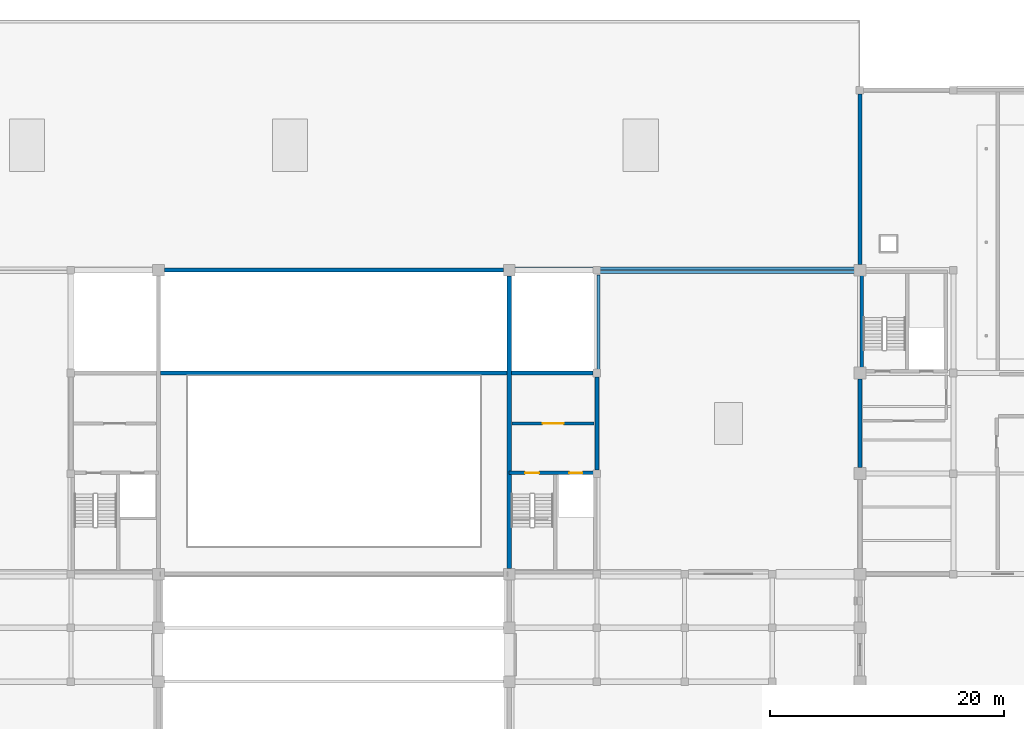
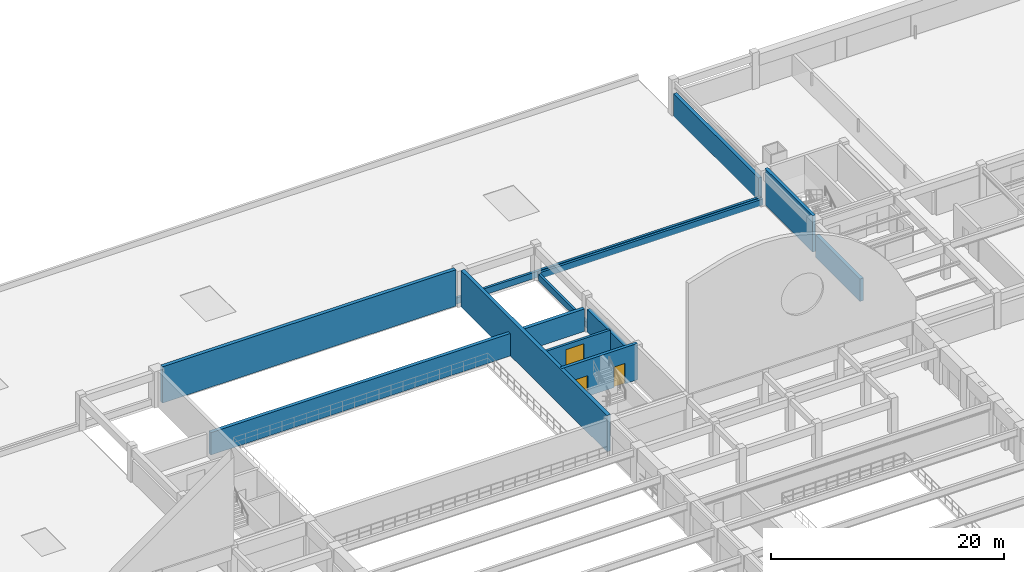
# One storey, part 60 of 74: 13 walls, 3 doors, 3 openings.
"""IFC4 building model written with IfcOpenShell, lengths in metres."""

from ifc_helpers import new_model, si_unit, direction, frame, frame_2d, origin, place, context, subcontext, project, spatial, rectangle, extrude, material, layer, layer_set, type_object, element, fill, save


model = new_model("IFC4")

# Units and contexts
model_context = context("Model", 3, precision=1e-05, world=origin(), true_north=direction((0.0, 1.0)))
body_context = subcontext(model_context, "Body", "Model", "MODEL_VIEW")
ifc_project = project(units=[si_unit("LENGTHUNIT", "METRE"), si_unit("AREAUNIT", "SQUARE_METRE"), si_unit("VOLUMEUNIT", "CUBIC_METRE"), si_unit("PLANEANGLEUNIT", "RADIAN"), si_unit("MASSUNIT", "GRAM", prefix="KILO")], contexts=[model_context])

# Site, building, storey
site_placement = place(None, origin())
site = spatial("IfcSite", under=ifc_project, at=site_placement, CompositionType="ELEMENT")
building_placement = place(site_placement, origin())
building = spatial("IfcBuilding", under=site, at=building_placement, Name="Muzn Square Opera House", CompositionType="ELEMENT")
storey_placement = place(building_placement, frame((0.0, 0.0, 14.199951171875)))
storey = spatial("IfcBuildingStorey", under=building, at=storey_placement, Name="L03", CompositionType="ELEMENT", Elevation=14.199951171875)

# Wall
ifc_material_1 = material(Name="Concrete C45/55", Category="concrete")
ifc_layer_1 = layer(ifc_material_1, 0.300048828125, Name="Concrete C45/55", Category="concrete")
ifc_layer_set_1 = layer_set([ifc_layer_1], Name="Concrete C45/55")
wall_type_1 = type_object("IfcWallType", Name="Core Shear Wall 300mm", PredefinedType="SHEAR", material=ifc_layer_set_1)
wall_1_placement = place(storey_placement, frame((133.14990234375, 90.10009765625, 0.0), z_axis=(0.0, 0.0, 1.0), x_axis=(0.0, 1.0, 0.0)))
element("IfcWall", 1, at=wall_1_placement, inside=storey, type_object=wall_type_1, Name="Core C5 Shear Wall SW-C5-L03-W", PredefinedType="SHEAR", context=body_context, shape_type="SweptSolid", body=[
    extrude(rectangle(XDim=8.199951171875, YDim=0.300048828125, at=frame_2d((4.10009765625, 0.0))), origin(), (0.0, 0.0, 1.0), 3.800048828125),
])

# Wall, openings, doors
wall_2_placement = place(storey_placement, frame((103.0, 81.25, 0.0), z_axis=(0.0, 0.0, 1.0), x_axis=(1.0, 0.0, 0.0)))
wall_2 = element("IfcWall", 2, at=wall_2_placement, inside=storey, type_object=wall_type_1, Name="Core C2 Front Shear Wall L03", PredefinedType="SHEAR", context=body_context, shape_type="SweptSolid", body=[
    extrude(rectangle(XDim=7.5, YDim=0.300048828125, at=frame_2d((3.75, 0.0))), origin(), (0.0, 0.0, 1.0), 3.800048828125),
])
opening_1_placement = place(wall_2_placement, frame((1.35009765625, 0.0, 0.0)))
opening_1 = element("IfcOpeningElement", 3, at=opening_1_placement, cuts=wall_2, Name="Opening DR-ST12", PredefinedType="OPENING", context=body_context, shape_type="SweptSolid", body=[
    extrude(rectangle(XDim=1.199951171875, YDim=2.14990234375, at=frame_2d((0.60009765625, 1.074951171875))), frame((0.0, 0.159912109375, 0.0), z_axis=(0.0, -1.0, 0.0), x_axis=(1.0, 0.0, 0.0)), (0.0, 0.0, 1.0), 0.320068359375),
])
opening_2_placement = place(wall_2_placement, frame((5.14990234375, 0.0, 0.0)))
opening_2 = element("IfcOpeningElement", 4, at=opening_2_placement, cuts=wall_2, Name="Opening LD-01", PredefinedType="OPENING", context=body_context, shape_type="SweptSolid", body=[
    extrude(rectangle(XDim=1.10009765625, YDim=2.14990234375, at=frame_2d((0.550048828125, 1.074951171875))), frame((0.0, 0.159912109375, 0.0), z_axis=(0.0, -1.0, 0.0), x_axis=(1.0, 0.0, 0.0)), (0.0, 0.0, 1.0), 0.320068359375),
])
ifc_material_2 = material(Name="Galvanised painted steel leaf", Category="metal")
door_type_1 = type_object("IfcDoorType", Name="Core Stair Fire Door 1200x2150", OperationType="NOTDEFINED", PredefinedType="DOOR", material=ifc_material_2)
door_1_placement = place(opening_1_placement, origin())
door_1 = element("IfcDoor", 5, at=door_1_placement, inside=storey, type_object=door_type_1, Name="Core C2 Stair Door L03", OperationType="SINGLE_SWING_RIGHT", OverallHeight=2.14990234375, OverallWidth=1.199951171875, PredefinedType="DOOR", context=body_context, shape_type="SweptSolid", body=[
    extrude(rectangle(XDim=1.199951171875, YDim=2.14990234375, at=frame_2d((0.60009765625, 1.074951171875))), frame((0.0, 0.02490234375, 0.0), z_axis=(0.0, -1.0, 0.0), x_axis=(1.0, 0.0, 0.0)), (0.0, 0.0, 1.0), 0.050048828125),
])
fill(opening_1, door_1)
ifc_material_3 = material(Name="Brushed stainless steel", Category="metal")
door_type_2 = type_object("IfcDoorType", Name="Lift Landing Sliding Door 1100x2150", OperationType="SLIDING_TO_LEFT", PredefinedType="DOOR", material=ifc_material_3)
door_2_placement = place(opening_2_placement, origin())
door_2 = element("IfcDoor", 6, at=door_2_placement, inside=storey, type_object=door_type_2, Name="Lift FFL-2 Sliding Landing Door L03", OperationType="SLIDING_TO_LEFT", OverallHeight=2.14990234375, OverallWidth=1.10009765625, PredefinedType="DOOR", context=body_context, shape_type="SweptSolid", body=[
    extrude(rectangle(XDim=1.10009765625, YDim=2.14990234375, at=frame_2d((0.550048828125, 1.074951171875))), frame((0.0, 0.02490234375, 0.0), z_axis=(0.0, -1.0, 0.0), x_axis=(1.0, 0.0, 0.0)), (0.0, 0.0, 1.0), 0.050048828125),
])
fill(opening_2, door_2)

# Walls
ifc_material_4 = material(Name="Concrete C40/50", Category="concrete")
ifc_layer_2 = layer(ifc_material_4, 0.340087890625, Name="Concrete C40/50", Category="concrete")
ifc_layer_set_2 = layer_set([ifc_layer_2], Name="Concrete C40/50")
wall_type_2 = type_object("IfcWallType", Name="Exterior Insulated Spandrel Wall 340mm", PredefinedType="SOLIDWALL", material=ifc_layer_set_2)
wall_3_placement = place(storey_placement, frame((73.175048828125, 89.800048828125, 0.0), z_axis=(0.0, 0.0, 1.0), x_axis=(1.0, 0.0, 0.0)))
element("IfcWall", 7, at=wall_3_placement, inside=storey, type_object=wall_type_2, Name="Exterior Facade Wall EW-L03-231", PredefinedType="SOLIDWALL", context=body_context, shape_type="SweptSolid", body=[
    extrude(rectangle(XDim=29.64990234375, YDim=0.340087890625, at=frame_2d((14.824951171875, 0.0))), origin(), (0.0, 0.0, 1.0), 2.35009765625),
])
wall_4_placement = place(storey_placement, frame((103.175048828125, 89.800048828125, 0.0), z_axis=(0.0, 0.0, 1.0), x_axis=(1.0, 0.0, 0.0)))
element("IfcWall", 8, at=wall_4_placement, inside=storey, type_object=wall_type_2, Name="Exterior Facade Wall EW-L03-232", PredefinedType="SOLIDWALL", context=body_context, shape_type="SweptSolid", body=[
    extrude(rectangle(XDim=7.0, YDim=0.340087890625, at=frame_2d((3.5, 0.0))), origin(), (0.0, 0.0, 1.0), 2.35009765625),
])
wall_5_placement = place(storey_placement, frame((110.5, 81.52490234375, 0.0), z_axis=(0.0, 0.0, 1.0), x_axis=(0.0, 1.0, 0.0)))
element("IfcWall", 9, at=wall_5_placement, inside=storey, type_object=wall_type_2, Name="Exterior Facade Wall EW-L03-233", PredefinedType="SOLIDWALL", context=body_context, shape_type="SweptSolid", body=[
    extrude(rectangle(XDim=7.9501953125, YDim=0.340087890625, at=frame_2d((3.97509765625, 0.0))), origin(), (0.0, 0.0, 1.0), 2.35009765625),
])
wall_6_placement = place(storey_placement, frame((133.0, 81.699951171875, 0.0), z_axis=(0.0, 0.0, 1.0), x_axis=(0.0, 1.0, 0.0)))
element("IfcWall", 10, at=wall_6_placement, inside=storey, type_object=wall_type_2, Name="Exterior Facade Wall EW-L03-247", PredefinedType="SOLIDWALL", context=body_context, shape_type="SweptSolid", body=[
    extrude(rectangle(XDim=7.60009765625, YDim=0.340087890625, at=frame_2d((3.800048828125, 0.0))), origin(), (0.0, 0.0, 1.0), 2.35009765625),
])
wall_7_placement = place(storey_placement, frame((133.0, 99.10009765625, 0.0), z_axis=(0.0, 0.0, 1.0), x_axis=(0.0, 1.0, 0.0)))
element("IfcWall", 11, at=wall_7_placement, inside=storey, type_object=wall_type_2, Name="Exterior Facade Wall EW-L03-248", PredefinedType="SOLIDWALL", context=body_context, shape_type="SweptSolid", body=[
    extrude(rectangle(XDim=14.574951171875, YDim=0.340087890625, at=frame_2d((7.28759765625, 0.0))), origin(), (0.0, 0.0, 1.0), 2.35009765625),
])

# Wall, opening, door
ifc_layer_3 = layer(ifc_material_4, 0.239990234375, Name="Concrete C40/50", Category="concrete")
ifc_layer_set_3 = layer_set([ifc_layer_3], Name="Concrete C40/50")
wall_type_3 = type_object("IfcWallType", Name="Firefighting Lobby Wall 240mm", PredefinedType="SOLIDWALL", material=ifc_layer_set_3)
wall_8_placement = place(storey_placement, frame((103.239990234375, 85.47998046875, 0.0), z_axis=(0.0, 0.0, 1.0), x_axis=(1.0, 0.0, 0.0)))
wall_8 = element("IfcWall", 12, at=wall_8_placement, inside=storey, type_object=wall_type_3, Name="Lobby C2 Enclosure Wall L03", PredefinedType="SOLIDWALL", context=body_context, shape_type="SweptSolid", body=[
    extrude(rectangle(XDim=7.02001953125, YDim=0.239990234375, at=frame_2d((3.510009765625, 0.0))), origin(), (0.0, 0.0, 1.0), 2.699951171875),
])
opening_3_placement = place(wall_8_placement, frame((2.610107421875, 0.0, 0.0)))
opening_3 = element("IfcOpeningElement", 13, at=opening_3_placement, cuts=wall_8, Name="Opening DR-FL18", PredefinedType="OPENING", context=body_context, shape_type="SweptSolid", body=[
    extrude(rectangle(XDim=1.800048828125, YDim=2.179931640625, at=frame_2d((0.89990234375, 1.08984375))), frame((0.0, 0.1298828125, 0.0), z_axis=(0.0, -1.0, 0.0), x_axis=(1.0, 0.0, 0.0)), (0.0, 0.0, 1.0), 0.260009765625),
])
door_type_3 = type_object("IfcDoorType", Name="Firefighting Lobby Double Door 1800x2180", OperationType="DOUBLE_DOOR_SINGLE_SWING", PredefinedType="DOOR", material=ifc_material_2)
door_3_placement = place(opening_3_placement, origin())
door_3 = element("IfcDoor", 14, at=door_3_placement, inside=storey, type_object=door_type_3, Name="Lobby C2 Fire Door L03", OperationType="DOUBLE_DOOR_SINGLE_SWING", OverallHeight=2.179931640625, OverallWidth=1.800048828125, PredefinedType="DOOR", context=body_context, shape_type="SweptSolid", body=[
    extrude(rectangle(XDim=1.800048828125, YDim=2.179931640625, at=frame_2d((0.89990234375, 1.08984375))), frame((0.0, 0.02490234375, 0.0), z_axis=(0.0, -1.0, 0.0), x_axis=(1.0, 0.0, 0.0)), (0.0, 0.0, 1.0), 0.050048828125),
])
fill(opening_3, door_3)

# Walls
ifc_layer_4 = layer(ifc_material_1, 0.35009765625, Name="Concrete C45/55", Category="concrete")
ifc_layer_set_4 = layer_set([ifc_layer_4], Name="Concrete C45/55")
wall_type_4 = type_object("IfcWallType", Name="Fly Tower Shear Wall 350mm", PredefinedType="SHEAR", material=ifc_layer_set_4)
wall_9_placement = place(storey_placement, frame((103.0, 73.090087890625, 0.0), z_axis=(0.0, 0.0, 1.0), x_axis=(0.0, 1.0, 0.0)))
element("IfcWall", 15, at=wall_9_placement, inside=storey, type_object=wall_type_4, Name="Fly Tower Shear Wall FTW-L03-E", PredefinedType="SHEAR", context=body_context, shape_type="SweptSolid", body=[
    extrude(rectangle(XDim=25.02001953125, YDim=0.35009765625, at=frame_2d((12.510009765625, 0.0))), origin(), (0.0, 0.0, 1.0), 3.800048828125),
])
wall_10_placement = place(storey_placement, frame((73.489990234375, 98.60009765625, 0.0), z_axis=(0.0, 0.0, 1.0), x_axis=(1.0, 0.0, 0.0)))
element("IfcWall", 16, at=wall_10_placement, inside=storey, type_object=wall_type_4, Name="Fly Tower Shear Wall FTW-L03-N", PredefinedType="SHEAR", context=body_context, shape_type="SweptSolid", body=[
    extrude(rectangle(XDim=29.02001953125, YDim=0.35009765625, at=frame_2d((14.510009765625, 0.0))), origin(), (0.0, 0.0, 1.0), 3.800048828125),
])
ifc_material_5 = material(Name="Precast concrete C40/50", Category="concrete")
ifc_layer_5 = layer(ifc_material_5, 0.239990234375, Name="Precast concrete C40/50", Category="concrete")
ifc_layer_set_5 = layer_set([ifc_layer_5], Name="Precast concrete C40/50")
wall_type_5 = type_object("IfcWallType", Name="Roof Parapet Wall 240mm", PredefinedType="PARAPET", material=ifc_layer_set_5)
wall_11_placement = place(storey_placement, frame((110.64990234375, 98.449951171875, 0.0), z_axis=(0.0, 0.0, 1.0), x_axis=(1.0, 0.0, 0.0)))
element("IfcWall", 17, at=wall_11_placement, inside=storey, type_object=wall_type_5, Name="Roof Parapet ROOF-L03-SIDEE-N", PredefinedType="PARAPET", context=body_context, shape_type="SweptSolid", body=[
    extrude(rectangle(XDim=22.2001953125, YDim=0.239990234375, at=frame_2d((11.10009765625, 0.0))), origin(), (0.0, 0.0, 1.0), 0.650146484375),
])
wall_12_placement = place(storey_placement, frame((102.530029296875, 98.75, 0.0), z_axis=(0.0, 0.0, 1.0), x_axis=(1.0, 0.0, 0.0)))
element("IfcWall", 18, at=wall_12_placement, inside=storey, type_object=wall_type_5, Name="Roof Parapet ROOF-L03-REAR-S", PredefinedType="PARAPET", context=body_context, shape_type="SweptSolid", body=[
    extrude(rectangle(XDim=30.320068359375, YDim=0.239990234375, at=frame_2d((15.16015625, 0.0))), origin(), (0.0, 0.0, 1.0), 0.650146484375),
])
wall_13_placement = place(storey_placement, frame((110.64990234375, 89.4951171875, 0.0), z_axis=(0.0, 0.0, 1.0), x_axis=(0.0, 1.0, 0.0)))
element("IfcWall", 19, at=wall_13_placement, inside=storey, type_object=wall_type_5, Name="Roof Parapet ROOF-L03-SIDEE-W", PredefinedType="PARAPET", context=body_context, shape_type="SweptSolid", body=[
    extrude(rectangle(XDim=8.704833984375, YDim=0.239990234375, at=frame_2d((4.3525390625, 0.0))), origin(), (0.0, 0.0, 1.0), 0.650146484375),
])

save(model, "model.ifc")
